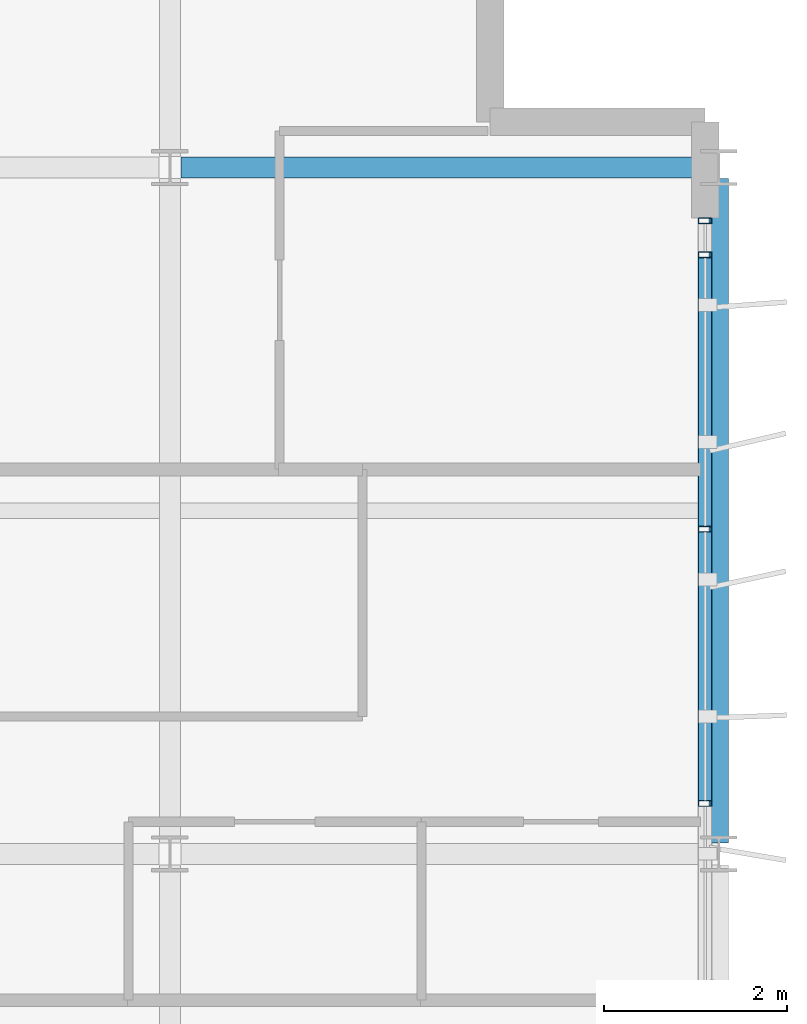
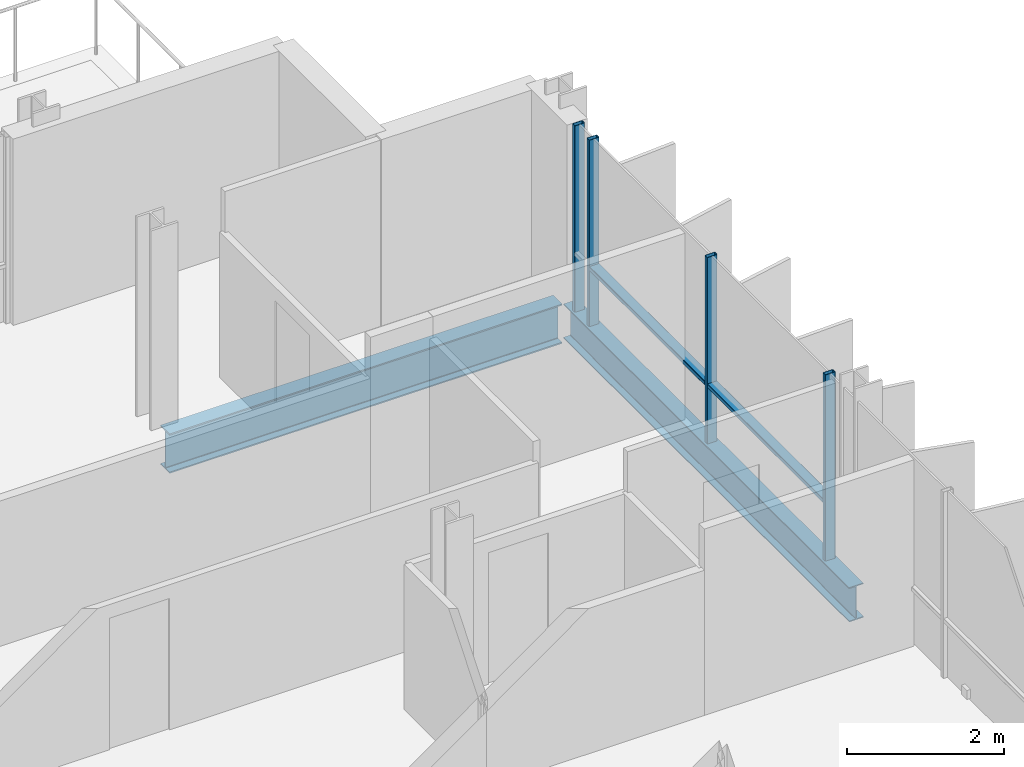
# One storey, part 22 of 38: 6 members, 2 beams, 1 element without a shape of its own.
"""IFC4 building model written with IfcOpenShell, lengths in metres."""

from ifc_helpers import new_model, si_unit, direction, frame, origin, origin_2d, place, context, subcontext, project, spatial, hollow_rectangle, i_section, extrude, material, layer, layer_set, material_profile, profile_set, type_object, element, aggregate, save


model = new_model("IFC4")

# Units and contexts
model_context = context("Model", 3, precision=1e-05, world=origin(), true_north=direction((0.0, 1.0)))
body_context = subcontext(model_context, "Body", "Model", "MODEL_VIEW")
ifc_project = project(units=[si_unit("LENGTHUNIT", "METRE"), si_unit("AREAUNIT", "SQUARE_METRE"), si_unit("VOLUMEUNIT", "CUBIC_METRE"), si_unit("PLANEANGLEUNIT", "RADIAN"), si_unit("MASSUNIT", "GRAM", prefix="KILO")], contexts=[model_context])

# Site, building, storey
site_placement = place(None, origin())
site = spatial("IfcSite", under=ifc_project, at=site_placement, CompositionType="ELEMENT")
building_placement = place(site_placement, origin())
building = spatial("IfcBuilding", under=site, at=building_placement, Name="Brevholm Reach", CompositionType="ELEMENT")
storey_placement = place(building_placement, frame((0.0, 0.0, 172.800048828125)))
storey = spatial("IfcBuildingStorey", under=building, at=storey_placement, Name="L52", CompositionType="ELEMENT", Elevation=172.800048828125)

# Beams
ifc_material_1 = material(Name="Structural Steel S355J2", Category="steel")
ifc_material_profile_1 = material_profile(ifc_material_1, i_section(OverallWidth=0.209228515625, OverallDepth=0.533203125, WebThickness=0.010009765625, FlangeThickness=0.015625, FilletRadius=0.0126953125, at=origin_2d()), Name="UKB 533x210x92")
ifc_profile_set_1 = profile_set([ifc_material_profile_1], Name="Structural Steel S355J2")
beam_type_1 = type_object("IfcBeamType", Name="BM-SP533", PredefinedType="SPANDREL", material=ifc_profile_set_1)
beam_1_placement = place(storey_placement, frame((60.0, 16.1201171875, -0.4765625), z_axis=(0.0, 1.0, 0.0), x_axis=(-1.0, 0.0, 0.0)))
element("IfcBeam", 1, at=beam_1_placement, inside=storey, type_object=beam_type_1, Name="L52 SP-02 Framing Beam", PredefinedType="SPANDREL", context=body_context, shape_type="SweptSolid", body=[
    extrude(i_section(OverallWidth=0.209228515625, OverallDepth=0.533203125, WebThickness=0.010009765625, FlangeThickness=0.015625, FilletRadius=0.0126953125, at=origin_2d()), origin(), (0.0, 0.0, 1.0), 7.259765625),
])
ifc_material_2 = material(Name="Structural Steel S355J2", Category="steel")
ifc_material_profile_2 = material_profile(ifc_material_2, i_section(OverallWidth=0.22900390625, OverallDepth=0.6123046875, WebThickness=0.011962890625, FlangeThickness=0.01953125, FilletRadius=0.0126953125, at=origin_2d()), Name="UKB 610x229x125")
ifc_profile_set_2 = profile_set([ifc_material_profile_2], Name="Structural Steel S355J2")
beam_type_2 = type_object("IfcBeamType", Name="BM-SP610", PredefinedType="SPANDREL", material=ifc_profile_set_2)
beam_2_placement = place(storey_placement, frame((54.1201171875, 23.5, -0.51611328125), z_axis=(1.0, 0.0, 0.0), x_axis=(0.0, 1.0, 0.0)))
element("IfcBeam", 2, at=beam_2_placement, inside=storey, type_object=beam_type_2, Name="L52 SP-01 Framing Beam", PredefinedType="SPANDREL", context=body_context, shape_type="SweptSolid", body=[
    extrude(i_section(OverallWidth=0.22900390625, OverallDepth=0.6123046875, WebThickness=0.011962890625, FlangeThickness=0.01953125, FilletRadius=0.0126953125, at=origin_2d()), origin(), (0.0, 0.0, 1.0), 5.759765625),
])

# Curtain wall, members
ifc_material_3 = material(Name="Dark Anodised Aluminium 6063-T6 and Solar-Control Glass", Category="aluminium")
ifc_layer = layer(ifc_material_3, 0.14990234375)
ifc_layer_set = layer_set([ifc_layer], Name="Dark Anodised Aluminium 6063-T6 and Solar-Control Glass")
curtain_wall_type = type_object("IfcCurtainWallType", Name="CW-01", PredefinedType="NOTDEFINED", material=ifc_layer_set)
curtain_wall_placement = place(storey_placement, origin())
curtain_wall = element("IfcCurtainWall", 3, at=curtain_wall_placement, inside=storey, type_object=curtain_wall_type, Name="L52 Curtain Wall CW-01", PredefinedType="NOTDEFINED")
ifc_material_4 = material(Name="Dark Anodised Aluminium 6063-T6", Category="aluminium")
ifc_material_profile_3 = material_profile(ifc_material_4, hollow_rectangle(XDim=0.06494140625, YDim=0.14990234375, WallThickness=0.0048828125, InnerFilletRadius=0.0048828125, OuterFilletRadius=0.010009765625, at=origin_2d()), Name="RHS 150x65x5")
ifc_profile_set_3 = profile_set([ifc_material_profile_3], Name="Dark Anodised Aluminium 6063-T6")
member_type_1 = type_object("IfcMemberType", Name="CWM-150", PredefinedType="MULLION", material=ifc_profile_set_3)
member_1_placement = place(storey_placement, frame((59.85009765625, 16.550048828125, 0.0), z_axis=(0.0, 0.0, 1.0), x_axis=(0.0, 1.0, 0.0)))
member_1 = element("IfcMember", 4, at=member_1_placement, type_object=member_type_1, Name="CM-150 Mullion 3", PredefinedType="MULLION", context=body_context, shape_type="SweptSolid", body=[
    extrude(hollow_rectangle(XDim=0.06494140625, YDim=0.14990234375, WallThickness=0.0048828125, InnerFilletRadius=0.0048828125, OuterFilletRadius=0.010009765625, at=origin_2d()), origin(), (0.0, 0.0, 1.0), 2.889892578125),
])
member_2_placement = place(storey_placement, frame((59.85009765625, 19.550048828125, 0.0), z_axis=(0.0, 0.0, 1.0), x_axis=(0.0, 1.0, 0.0)))
member_2 = element("IfcMember", 5, at=member_2_placement, type_object=member_type_1, Name="CM-150 Mullion 4", PredefinedType="MULLION", context=body_context, shape_type="SweptSolid", body=[
    extrude(hollow_rectangle(XDim=0.06494140625, YDim=0.14990234375, WallThickness=0.0048828125, InnerFilletRadius=0.0048828125, OuterFilletRadius=0.010009765625, at=origin_2d()), origin(), (0.0, 0.0, 1.0), 2.889892578125),
])
member_3_placement = place(storey_placement, frame((59.85009765625, 22.550048828125, 0.0), z_axis=(0.0, 0.0, 1.0), x_axis=(0.0, 1.0, 0.0)))
member_3 = element("IfcMember", 6, at=member_3_placement, type_object=member_type_1, Name="CM-150 Mullion 5", PredefinedType="MULLION", context=body_context, shape_type="SweptSolid", body=[
    extrude(hollow_rectangle(XDim=0.06494140625, YDim=0.14990234375, WallThickness=0.0048828125, InnerFilletRadius=0.0048828125, OuterFilletRadius=0.010009765625, at=origin_2d()), origin(), (0.0, 0.0, 1.0), 2.889892578125),
])
member_4_placement = place(storey_placement, frame((59.85009765625, 22.91748046875, 0.0), z_axis=(0.0, 0.0, 1.0), x_axis=(0.0, 1.0, 0.0)))
member_4 = element("IfcMember", 7, at=member_4_placement, type_object=member_type_1, Name="CM-150 Mullion 6", PredefinedType="MULLION", context=body_context, shape_type="SweptSolid", body=[
    extrude(hollow_rectangle(XDim=0.06494140625, YDim=0.14990234375, WallThickness=0.0048828125, InnerFilletRadius=0.0048828125, OuterFilletRadius=0.010009765625, at=origin_2d()), origin(), (0.0, 0.0, 1.0), 2.889892578125),
])
ifc_material_5 = material(Name="Dark Anodised Aluminium 6063-T6", Category="aluminium")
ifc_material_profile_4 = material_profile(ifc_material_5, hollow_rectangle(XDim=0.06494140625, YDim=0.14990234375, WallThickness=0.0048828125, InnerFilletRadius=0.0048828125, OuterFilletRadius=0.010009765625, at=origin_2d()), Name="RHS 150x65x5")
ifc_profile_set_4 = profile_set([ifc_material_profile_4], Name="Dark Anodised Aluminium 6063-T6")
member_type_2 = type_object("IfcMemberType", Name="CWT-150", PredefinedType="NOTDEFINED", material=ifc_profile_set_4)
member_5_placement = place(storey_placement, frame((59.85009765625, 16.58251953125, 0.89990234375), z_axis=(0.0, 1.0, 0.0), x_axis=(0.0, 0.0, 1.0)))
member_5 = element("IfcMember", 8, at=member_5_placement, type_object=member_type_2, Name="CT-150 Transom 3.1", ObjectType="TRANSOM", PredefinedType="USERDEFINED", context=body_context, shape_type="SweptSolid", body=[
    extrude(hollow_rectangle(XDim=0.06494140625, YDim=0.14990234375, WallThickness=0.0048828125, InnerFilletRadius=0.0048828125, OuterFilletRadius=0.010009765625, at=origin_2d()), origin(), (0.0, 0.0, 1.0), 2.93505859375),
])
member_6_placement = place(storey_placement, frame((59.85009765625, 19.58251953125, 0.89990234375), z_axis=(0.0, 1.0, 0.0), x_axis=(0.0, 0.0, 1.0)))
member_6 = element("IfcMember", 9, at=member_6_placement, type_object=member_type_2, Name="CT-150 Transom 4.1", ObjectType="TRANSOM", PredefinedType="USERDEFINED", context=body_context, shape_type="SweptSolid", body=[
    extrude(hollow_rectangle(XDim=0.06494140625, YDim=0.14990234375, WallThickness=0.0048828125, InnerFilletRadius=0.0048828125, OuterFilletRadius=0.010009765625, at=origin_2d()), origin(), (0.0, 0.0, 1.0), 2.93505859375),
])
aggregate(curtain_wall, [member_1, member_2, member_3, member_4, member_5, member_6])

save(model, "model.ifc")
